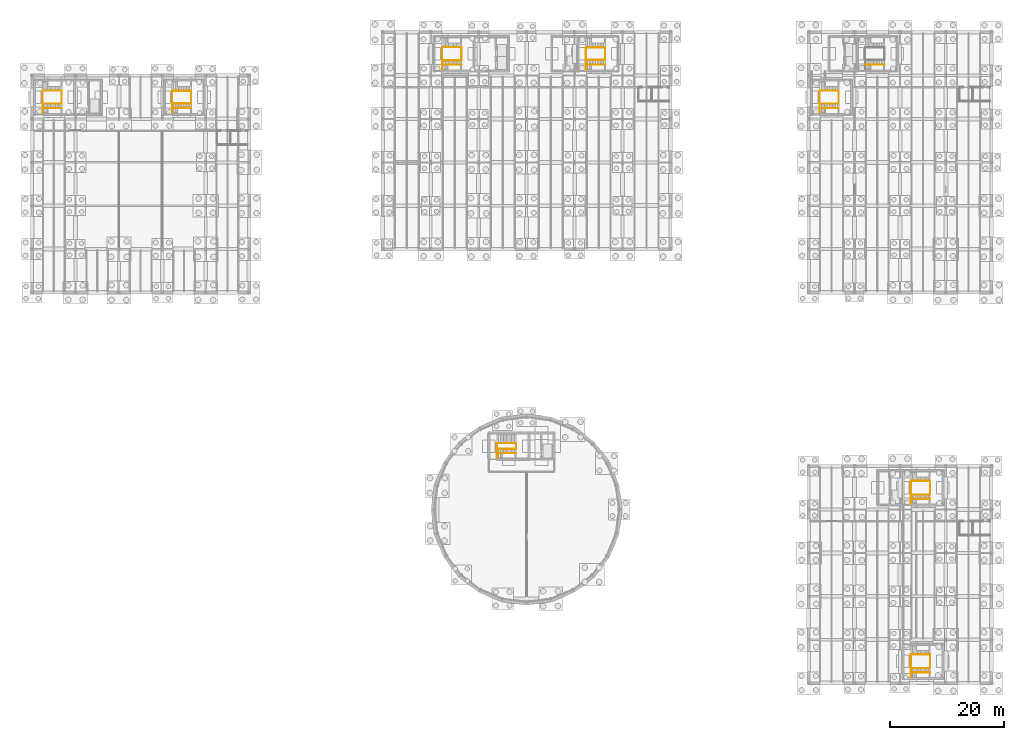
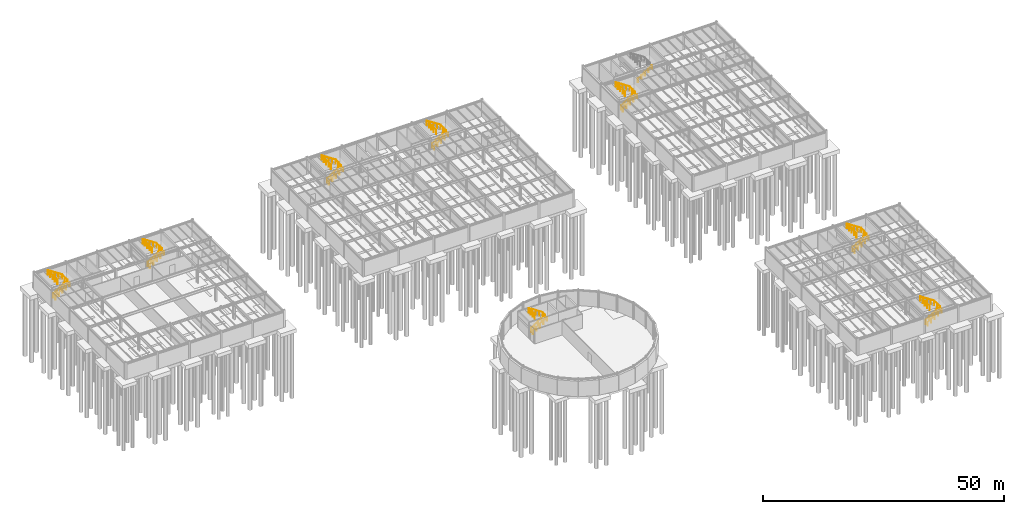
# One storey, part 31 of 33: 17 railings.
"""IFC4 building model written with IfcOpenShell, lengths in metres."""

from ifc_helpers import new_model, si_unit, direction, frame, origin, origin_2d, place, context, subcontext, project, spatial, circle, extrude, material, type_object, element, save


model = new_model("IFC4")

# Units and contexts
model_context = context("Model", 3, precision=1e-05, world=origin(), true_north=direction((0.0, 1.0)))
body_context = subcontext(model_context, "Body", "Model", "MODEL_VIEW")
ifc_project = project(units=[si_unit("LENGTHUNIT", "METRE"), si_unit("AREAUNIT", "SQUARE_METRE"), si_unit("VOLUMEUNIT", "CUBIC_METRE"), si_unit("PLANEANGLEUNIT", "RADIAN"), si_unit("MASSUNIT", "GRAM", prefix="KILO")], contexts=[model_context])

# Site, building, storey
site_placement = place(None, origin())
site = spatial("IfcSite", under=ifc_project, at=site_placement, CompositionType="ELEMENT")
building_placement = place(site_placement, origin())
building = spatial("IfcBuilding", under=site, at=building_placement, Name="Montecoro Central Library", CompositionType="ELEMENT")
storey_placement = place(building_placement, frame((0.0, 0.0, -4.419921875)))
storey = spatial("IfcBuildingStorey", under=building, at=storey_placement, Name="B1", CompositionType="ELEMENT", Elevation=-4.419921875)

# Railings
ifc_material_1 = material(Name="Brushed stainless steel and bronze balustrade", Category="steel")
railing_type_1 = type_object("IfcRailingType", Name="GRD-INT-110", PredefinedType="GUARDRAIL", material=ifc_material_1)
railing_1_placement = place(storey_placement, frame((86.419921875, 46.0, 0.0)))
element("IfcRailing", 1, at=railing_1_placement, inside=storey, type_object=railing_type_1, Name="C1-B1-STR-GRD", PredefinedType="GUARDRAIL", context=body_context, shape_type="SweptSolid", body=[
    extrude(circle(Radius=0.02392578125, at=origin_2d()), frame((0.0, 0.0, 1.09619140625), z_axis=(0.835489692687, 0.0, 0.549506117722), x_axis=(0.0, 1.0, 0.0)), (0.0, 0.0, 1.0), 4.021728515625),
    extrude(circle(Radius=0.02392578125, at=origin_2d()), frame((3.360107421875, 0.0, 3.30615234375), z_axis=(0.0, 1.0, 0.0), x_axis=(-1.0, 0.0, 0.0)), (0.0, 0.0, 1.0), 1.0),
    extrude(circle(Radius=0.02392578125, at=origin_2d()), frame((3.360107421875, 1.0, 3.30615234375), z_axis=(-0.835489692687, 0.0, 0.549506117722), x_axis=(0.0, -1.0, 0.0)), (0.0, 0.0, 1.0), 4.021728515625),
    extrude(circle(Radius=0.02392578125, at=origin_2d()), frame((0.0, 1.0, 5.51611328125), z_axis=(0.0, -1.0, 0.0), x_axis=(1.0, 0.0, 0.0)), (0.0, 0.0, 1.0), 2.550048828125),
    extrude(circle(Radius=0.02099609375, at=origin_2d()), origin(), (0.0, 0.0, 1.0), 1.072021484375),
    extrude(circle(Radius=0.02099609375, at=origin_2d()), frame((0.840087890625, 0.0, 0.552490234375)), (0.0, 0.0, 1.0), 1.072021484375),
    extrude(circle(Radius=0.02099609375, at=origin_2d()), frame((1.68017578125, 0.0, 1.10498046875)), (0.0, 0.0, 1.0), 1.072021484375),
    extrude(circle(Radius=0.02099609375, at=origin_2d()), frame((2.52001953125, 0.0, 1.657470703125)), (0.0, 0.0, 1.0), 1.072021484375),
    extrude(circle(Radius=0.02099609375, at=origin_2d()), frame((3.360107421875, 0.0, 2.2099609375)), (0.0, 0.0, 1.0), 1.072021484375),
    extrude(circle(Radius=0.02099609375, at=origin_2d()), frame((3.360107421875, 1.0, 2.2099609375)), (0.0, 0.0, 1.0), 1.072021484375),
    extrude(circle(Radius=0.02099609375, at=origin_2d()), frame((2.52001953125, 1.0, 2.762451171875)), (0.0, 0.0, 1.0), 1.072021484375),
    extrude(circle(Radius=0.02099609375, at=origin_2d()), frame((1.68017578125, 1.0, 3.31494140625)), (0.0, 0.0, 1.0), 1.072021484375),
    extrude(circle(Radius=0.02099609375, at=origin_2d()), frame((0.840087890625, 1.0, 3.867431640625)), (0.0, 0.0, 1.0), 1.072021484375),
    extrude(circle(Radius=0.02099609375, at=origin_2d()), frame((0.0, 1.0, 4.419921875)), (0.0, 0.0, 1.0), 1.072021484375),
    extrude(circle(Radius=0.02099609375, at=origin_2d()), frame((0.0, 0.14990234375, 4.419921875)), (0.0, 0.0, 1.0), 1.072021484375),
    extrude(circle(Radius=0.02099609375, at=origin_2d()), frame((0.0, -0.699951171875, 4.419921875)), (0.0, 0.0, 1.0), 1.072021484375),
    extrude(circle(Radius=0.02099609375, at=origin_2d()), frame((0.0, -1.550048828125, 4.419921875)), (0.0, 0.0, 1.0), 1.072021484375),
])
railing_2_placement = place(storey_placement, frame((76.820068359375, 114.050048828125, 0.0)))
element("IfcRailing", 2, at=railing_2_placement, inside=storey, type_object=railing_type_1, Name="C2-B1-STR-GRD", PredefinedType="GUARDRAIL", context=body_context, shape_type="SweptSolid", body=[
    extrude(circle(Radius=0.02392578125, at=origin_2d()), frame((0.0, 0.0, 1.09619140625), z_axis=(0.835471360846, 0.0, 0.549533989128), x_axis=(0.0, 1.0, 0.0)), (0.0, 0.0, 1.0), 4.021484375),
    extrude(circle(Radius=0.02392578125, at=origin_2d()), frame((3.35986328125, 0.0, 3.30615234375), z_axis=(0.0, 1.0, 0.0), x_axis=(-1.0, 0.0, 0.0)), (0.0, 0.0, 1.0), 2.300048828125),
    extrude(circle(Radius=0.02392578125, at=origin_2d()), frame((3.35986328125, 2.300048828125, 3.30615234375), z_axis=(-0.835471360846, 0.0, 0.549533989128), x_axis=(0.0, -1.0, 0.0)), (0.0, 0.0, 1.0), 4.021484375),
    extrude(circle(Radius=0.02392578125, at=origin_2d()), frame((0.0, 2.300048828125, 5.51611328125), z_axis=(0.0, -1.0, 0.0), x_axis=(1.0, 0.0, 0.0)), (0.0, 0.0, 1.0), 3.900146484375),
    extrude(circle(Radius=0.02099609375, at=origin_2d()), origin(), (0.0, 0.0, 1.0), 1.072021484375),
    extrude(circle(Radius=0.02099609375, at=origin_2d()), frame((0.83984375, 0.0, 0.552490234375)), (0.0, 0.0, 1.0), 1.072021484375),
    extrude(circle(Radius=0.02099609375, at=origin_2d()), frame((1.679931640625, 0.0, 1.10498046875)), (0.0, 0.0, 1.0), 1.072021484375),
    extrude(circle(Radius=0.02099609375, at=origin_2d()), frame((2.52001953125, 0.0, 1.657470703125)), (0.0, 0.0, 1.0), 1.072021484375),
    extrude(circle(Radius=0.02099609375, at=origin_2d()), frame((3.35986328125, 0.0, 2.2099609375)), (0.0, 0.0, 1.0), 1.072021484375),
    extrude(circle(Radius=0.02099609375, at=origin_2d()), frame((3.35986328125, 1.14990234375, 2.2099609375)), (0.0, 0.0, 1.0), 1.072021484375),
    extrude(circle(Radius=0.02099609375, at=origin_2d()), frame((3.35986328125, 2.300048828125, 2.2099609375)), (0.0, 0.0, 1.0), 1.072021484375),
    extrude(circle(Radius=0.02099609375, at=origin_2d()), frame((2.52001953125, 2.300048828125, 2.762451171875)), (0.0, 0.0, 1.0), 1.072021484375),
    extrude(circle(Radius=0.02099609375, at=origin_2d()), frame((1.679931640625, 2.300048828125, 3.31494140625)), (0.0, 0.0, 1.0), 1.072021484375),
    extrude(circle(Radius=0.02099609375, at=origin_2d()), frame((0.83984375, 2.300048828125, 3.867431640625)), (0.0, 0.0, 1.0), 1.072021484375),
    extrude(circle(Radius=0.02099609375, at=origin_2d()), frame((0.0, 2.300048828125, 4.419921875)), (0.0, 0.0, 1.0), 1.072021484375),
    extrude(circle(Radius=0.02099609375, at=origin_2d()), frame((0.0, 1.324951171875, 4.419921875)), (0.0, 0.0, 1.0), 1.072021484375),
    extrude(circle(Radius=0.02099609375, at=origin_2d()), frame((0.0, 0.35009765625, 4.419921875)), (0.0, 0.0, 1.0), 1.072021484375),
    extrude(circle(Radius=0.02099609375, at=origin_2d()), frame((0.0, -0.625, 4.419921875)), (0.0, 0.0, 1.0), 1.072021484375),
    extrude(circle(Radius=0.02099609375, at=origin_2d()), frame((0.0, -1.60009765625, 4.419921875)), (0.0, 0.0, 1.0), 1.072021484375),
])
railing_3_placement = place(storey_placement, frame((102.02001953125, 114.10009765625, 0.0)))
element("IfcRailing", 3, at=railing_3_placement, inside=storey, type_object=railing_type_1, Name="C3-B1-STR-GRD", PredefinedType="GUARDRAIL", context=body_context, shape_type="SweptSolid", body=[
    extrude(circle(Radius=0.02392578125, at=origin_2d()), frame((0.0, 0.0, 1.09619140625), z_axis=(0.835471360846, 0.0, 0.549533989128), x_axis=(0.0, 1.0, 0.0)), (0.0, 0.0, 1.0), 4.021484375),
    extrude(circle(Radius=0.02392578125, at=origin_2d()), frame((3.35986328125, 0.0, 3.30615234375), z_axis=(0.0, 1.0, 0.0), x_axis=(-1.0, 0.0, 0.0)), (0.0, 0.0, 1.0), 2.199951171875),
    extrude(circle(Radius=0.02392578125, at=origin_2d()), frame((3.35986328125, 2.199951171875, 3.30615234375), z_axis=(-0.835471360846, 0.0, 0.549533989128), x_axis=(0.0, -1.0, 0.0)), (0.0, 0.0, 1.0), 4.021484375),
    extrude(circle(Radius=0.02392578125, at=origin_2d()), frame((0.0, 2.199951171875, 5.51611328125), z_axis=(0.0, -1.0, 0.0), x_axis=(1.0, 0.0, 0.0)), (0.0, 0.0, 1.0), 3.85009765625),
    extrude(circle(Radius=0.02099609375, at=origin_2d()), origin(), (0.0, 0.0, 1.0), 1.072021484375),
    extrude(circle(Radius=0.02099609375, at=origin_2d()), frame((0.83984375, 0.0, 0.552490234375)), (0.0, 0.0, 1.0), 1.072021484375),
    extrude(circle(Radius=0.02099609375, at=origin_2d()), frame((1.679931640625, 0.0, 1.10498046875)), (0.0, 0.0, 1.0), 1.072021484375),
    extrude(circle(Radius=0.02099609375, at=origin_2d()), frame((2.52001953125, 0.0, 1.657470703125)), (0.0, 0.0, 1.0), 1.072021484375),
    extrude(circle(Radius=0.02099609375, at=origin_2d()), frame((3.35986328125, 0.0, 2.2099609375)), (0.0, 0.0, 1.0), 1.072021484375),
    extrude(circle(Radius=0.02099609375, at=origin_2d()), frame((3.35986328125, 1.10009765625, 2.2099609375)), (0.0, 0.0, 1.0), 1.072021484375),
    extrude(circle(Radius=0.02099609375, at=origin_2d()), frame((3.35986328125, 2.199951171875, 2.2099609375)), (0.0, 0.0, 1.0), 1.072021484375),
    extrude(circle(Radius=0.02099609375, at=origin_2d()), frame((2.52001953125, 2.199951171875, 2.762451171875)), (0.0, 0.0, 1.0), 1.072021484375),
    extrude(circle(Radius=0.02099609375, at=origin_2d()), frame((1.679931640625, 2.199951171875, 3.31494140625)), (0.0, 0.0, 1.0), 1.072021484375),
    extrude(circle(Radius=0.02099609375, at=origin_2d()), frame((0.83984375, 2.199951171875, 3.867431640625)), (0.0, 0.0, 1.0), 1.072021484375),
    extrude(circle(Radius=0.02099609375, at=origin_2d()), frame((0.0, 2.199951171875, 4.419921875)), (0.0, 0.0, 1.0), 1.072021484375),
    extrude(circle(Radius=0.02099609375, at=origin_2d()), frame((0.0, 1.2373046875, 4.419921875)), (0.0, 0.0, 1.0), 1.072021484375),
    extrude(circle(Radius=0.02099609375, at=origin_2d()), frame((0.0, 0.27490234375, 4.419921875)), (0.0, 0.0, 1.0), 1.072021484375),
    extrude(circle(Radius=0.02099609375, at=origin_2d()), frame((0.0, -0.6875, 4.419921875)), (0.0, 0.0, 1.0), 1.072021484375),
    extrude(circle(Radius=0.02099609375, at=origin_2d()), frame((0.0, -1.650146484375, 4.419921875)), (0.0, 0.0, 1.0), 1.072021484375),
])
railing_4_placement = place(storey_placement, frame((6.840087890625, 106.449951171875, 0.0)))
element("IfcRailing", 4, at=railing_4_placement, inside=storey, type_object=railing_type_1, Name="C5-B1-STR-GRD", PredefinedType="GUARDRAIL", context=body_context, shape_type="SweptSolid", body=[
    extrude(circle(Radius=0.02392578125, at=origin_2d()), frame((0.0, 0.0, 1.09619140625), z_axis=(0.835471360846, 0.0, 0.549533989128), x_axis=(0.0, 1.0, 0.0)), (0.0, 0.0, 1.0), 4.021484375),
    extrude(circle(Radius=0.02392578125, at=origin_2d()), frame((3.35986328125, 0.0, 3.30615234375), z_axis=(0.0, 1.0, 0.0), x_axis=(-1.0, 0.0, 0.0)), (0.0, 0.0, 1.0), 2.300048828125),
    extrude(circle(Radius=0.02392578125, at=origin_2d()), frame((3.35986328125, 2.300048828125, 3.30615234375), z_axis=(-0.835471360846, 0.0, 0.549533989128), x_axis=(0.0, -1.0, 0.0)), (0.0, 0.0, 1.0), 4.021484375),
    extrude(circle(Radius=0.02392578125, at=origin_2d()), frame((0.0, 2.300048828125, 5.51611328125), z_axis=(0.0, -1.0, 0.0), x_axis=(1.0, 0.0, 0.0)), (0.0, 0.0, 1.0), 3.89990234375),
    extrude(circle(Radius=0.02099609375, at=origin_2d()), origin(), (0.0, 0.0, 1.0), 1.072021484375),
    extrude(circle(Radius=0.02099609375, at=origin_2d()), frame((0.83984375, 0.0, 0.552490234375)), (0.0, 0.0, 1.0), 1.072021484375),
    extrude(circle(Radius=0.02099609375, at=origin_2d()), frame((1.679931640625, 0.0, 1.10498046875)), (0.0, 0.0, 1.0), 1.072021484375),
    extrude(circle(Radius=0.02099609375, at=origin_2d()), frame((2.52001953125, 0.0, 1.657470703125)), (0.0, 0.0, 1.0), 1.072021484375),
    extrude(circle(Radius=0.02099609375, at=origin_2d()), frame((3.35986328125, 0.0, 2.2099609375)), (0.0, 0.0, 1.0), 1.072021484375),
    extrude(circle(Radius=0.02099609375, at=origin_2d()), frame((3.35986328125, 1.14990234375, 2.2099609375)), (0.0, 0.0, 1.0), 1.072021484375),
    extrude(circle(Radius=0.02099609375, at=origin_2d()), frame((3.35986328125, 2.300048828125, 2.2099609375)), (0.0, 0.0, 1.0), 1.072021484375),
    extrude(circle(Radius=0.02099609375, at=origin_2d()), frame((2.52001953125, 2.300048828125, 2.762451171875)), (0.0, 0.0, 1.0), 1.072021484375),
    extrude(circle(Radius=0.02099609375, at=origin_2d()), frame((1.679931640625, 2.300048828125, 3.31494140625)), (0.0, 0.0, 1.0), 1.072021484375),
    extrude(circle(Radius=0.02099609375, at=origin_2d()), frame((0.83984375, 2.300048828125, 3.867431640625)), (0.0, 0.0, 1.0), 1.072021484375),
    extrude(circle(Radius=0.02099609375, at=origin_2d()), frame((0.0, 2.300048828125, 4.419921875)), (0.0, 0.0, 1.0), 1.072021484375),
    extrude(circle(Radius=0.02099609375, at=origin_2d()), frame((0.0, 1.3251953125, 4.419921875)), (0.0, 0.0, 1.0), 1.072021484375),
    extrude(circle(Radius=0.02099609375, at=origin_2d()), frame((0.0, 0.35009765625, 4.419921875)), (0.0, 0.0, 1.0), 1.072021484375),
    extrude(circle(Radius=0.02099609375, at=origin_2d()), frame((0.0, -0.625, 4.419921875)), (0.0, 0.0, 1.0), 1.072021484375),
    extrude(circle(Radius=0.02099609375, at=origin_2d()), frame((0.0, -1.599853515625, 4.419921875)), (0.0, 0.0, 1.0), 1.072021484375),
])
railing_5_placement = place(storey_placement, frame((158.919921875, 38.0, 0.0)))
element("IfcRailing", 5, at=railing_5_placement, inside=storey, type_object=railing_type_1, Name="C7-B1-STR-GRD", PredefinedType="GUARDRAIL", context=body_context, shape_type="SweptSolid", body=[
    extrude(circle(Radius=0.02392578125, at=origin_2d()), frame((0.0, 0.0, 1.09619140625), z_axis=(0.835489692687, 0.0, 0.549506117722), x_axis=(0.0, 1.0, 0.0)), (0.0, 0.0, 1.0), 4.021728515625),
    extrude(circle(Radius=0.02392578125, at=origin_2d()), frame((3.360107421875, 0.0, 3.30615234375), z_axis=(0.0, 1.0, 0.0), x_axis=(-1.0, 0.0, 0.0)), (0.0, 0.0, 1.0), 2.39990234375),
    extrude(circle(Radius=0.02392578125, at=origin_2d()), frame((3.360107421875, 2.39990234375, 3.30615234375), z_axis=(-0.835489692687, 0.0, 0.549506117722), x_axis=(0.0, -1.0, 0.0)), (0.0, 0.0, 1.0), 4.021728515625),
    extrude(circle(Radius=0.02392578125, at=origin_2d()), frame((0.0, 2.39990234375, 5.51611328125), z_axis=(0.0, -1.0, 0.0), x_axis=(1.0, 0.0, 0.0)), (0.0, 0.0, 1.0), 3.949951171875),
    extrude(circle(Radius=0.02099609375, at=origin_2d()), origin(), (0.0, 0.0, 1.0), 1.072021484375),
    extrude(circle(Radius=0.02099609375, at=origin_2d()), frame((0.840087890625, 0.0, 0.552490234375)), (0.0, 0.0, 1.0), 1.072021484375),
    extrude(circle(Radius=0.02099609375, at=origin_2d()), frame((1.68017578125, 0.0, 1.10498046875)), (0.0, 0.0, 1.0), 1.072021484375),
    extrude(circle(Radius=0.02099609375, at=origin_2d()), frame((2.52001953125, 0.0, 1.657470703125)), (0.0, 0.0, 1.0), 1.072021484375),
    extrude(circle(Radius=0.02099609375, at=origin_2d()), frame((3.360107421875, 0.0, 2.2099609375)), (0.0, 0.0, 1.0), 1.072021484375),
    extrude(circle(Radius=0.02099609375, at=origin_2d()), frame((3.360107421875, 1.199951171875, 2.2099609375)), (0.0, 0.0, 1.0), 1.072021484375),
    extrude(circle(Radius=0.02099609375, at=origin_2d()), frame((3.360107421875, 2.39990234375, 2.2099609375)), (0.0, 0.0, 1.0), 1.072021484375),
    extrude(circle(Radius=0.02099609375, at=origin_2d()), frame((2.52001953125, 2.39990234375, 2.762451171875)), (0.0, 0.0, 1.0), 1.072021484375),
    extrude(circle(Radius=0.02099609375, at=origin_2d()), frame((1.68017578125, 2.39990234375, 3.31494140625)), (0.0, 0.0, 1.0), 1.072021484375),
    extrude(circle(Radius=0.02099609375, at=origin_2d()), frame((0.840087890625, 2.39990234375, 3.867431640625)), (0.0, 0.0, 1.0), 1.072021484375),
    extrude(circle(Radius=0.02099609375, at=origin_2d()), frame((0.0, 2.39990234375, 4.419921875)), (0.0, 0.0, 1.0), 1.072021484375),
    extrude(circle(Radius=0.02099609375, at=origin_2d()), frame((0.0, 1.412353515625, 4.419921875)), (0.0, 0.0, 1.0), 1.072021484375),
    extrude(circle(Radius=0.02099609375, at=origin_2d()), frame((0.0, 0.4248046875, 4.419921875)), (0.0, 0.0, 1.0), 1.072021484375),
    extrude(circle(Radius=0.02099609375, at=origin_2d()), frame((0.0, -0.5625, 4.419921875)), (0.0, 0.0, 1.0), 1.072021484375),
    extrude(circle(Radius=0.02099609375, at=origin_2d()), frame((0.0, -1.550048828125, 4.419921875)), (0.0, 0.0, 1.0), 1.072021484375),
])
railing_6_placement = place(storey_placement, frame((142.919921875, 106.449951171875, 0.0)))
element("IfcRailing", 6, at=railing_6_placement, inside=storey, type_object=railing_type_1, Name="C8-B1-STR-GRD", PredefinedType="GUARDRAIL", context=body_context, shape_type="SweptSolid", body=[
    extrude(circle(Radius=0.02392578125, at=origin_2d()), frame((0.0, 0.0, 1.09619140625), z_axis=(0.835489692687, 0.0, 0.549506117722), x_axis=(0.0, 1.0, 0.0)), (0.0, 0.0, 1.0), 4.021728515625),
    extrude(circle(Radius=0.02392578125, at=origin_2d()), frame((3.360107421875, 0.0, 3.30615234375), z_axis=(0.0, 1.0, 0.0), x_axis=(-1.0, 0.0, 0.0)), (0.0, 0.0, 1.0), 2.300048828125),
    extrude(circle(Radius=0.02392578125, at=origin_2d()), frame((3.360107421875, 2.300048828125, 3.30615234375), z_axis=(-0.835489692687, 0.0, 0.549506117722), x_axis=(0.0, -1.0, 0.0)), (0.0, 0.0, 1.0), 4.021728515625),
    extrude(circle(Radius=0.02392578125, at=origin_2d()), frame((0.0, 2.300048828125, 5.51611328125), z_axis=(0.0, -1.0, 0.0), x_axis=(1.0, 0.0, 0.0)), (0.0, 0.0, 1.0), 3.89990234375),
    extrude(circle(Radius=0.02099609375, at=origin_2d()), origin(), (0.0, 0.0, 1.0), 1.072021484375),
    extrude(circle(Radius=0.02099609375, at=origin_2d()), frame((0.840087890625, 0.0, 0.552490234375)), (0.0, 0.0, 1.0), 1.072021484375),
    extrude(circle(Radius=0.02099609375, at=origin_2d()), frame((1.68017578125, 0.0, 1.10498046875)), (0.0, 0.0, 1.0), 1.072021484375),
    extrude(circle(Radius=0.02099609375, at=origin_2d()), frame((2.52001953125, 0.0, 1.657470703125)), (0.0, 0.0, 1.0), 1.072021484375),
    extrude(circle(Radius=0.02099609375, at=origin_2d()), frame((3.360107421875, 0.0, 2.2099609375)), (0.0, 0.0, 1.0), 1.072021484375),
    extrude(circle(Radius=0.02099609375, at=origin_2d()), frame((3.360107421875, 1.14990234375, 2.2099609375)), (0.0, 0.0, 1.0), 1.072021484375),
    extrude(circle(Radius=0.02099609375, at=origin_2d()), frame((3.360107421875, 2.300048828125, 2.2099609375)), (0.0, 0.0, 1.0), 1.072021484375),
    extrude(circle(Radius=0.02099609375, at=origin_2d()), frame((2.52001953125, 2.300048828125, 2.762451171875)), (0.0, 0.0, 1.0), 1.072021484375),
    extrude(circle(Radius=0.02099609375, at=origin_2d()), frame((1.68017578125, 2.300048828125, 3.31494140625)), (0.0, 0.0, 1.0), 1.072021484375),
    extrude(circle(Radius=0.02099609375, at=origin_2d()), frame((0.840087890625, 2.300048828125, 3.867431640625)), (0.0, 0.0, 1.0), 1.072021484375),
    extrude(circle(Radius=0.02099609375, at=origin_2d()), frame((0.0, 2.300048828125, 4.419921875)), (0.0, 0.0, 1.0), 1.072021484375),
    extrude(circle(Radius=0.02099609375, at=origin_2d()), frame((0.0, 1.3251953125, 4.419921875)), (0.0, 0.0, 1.0), 1.072021484375),
    extrude(circle(Radius=0.02099609375, at=origin_2d()), frame((0.0, 0.35009765625, 4.419921875)), (0.0, 0.0, 1.0), 1.072021484375),
    extrude(circle(Radius=0.02099609375, at=origin_2d()), frame((0.0, -0.625, 4.419921875)), (0.0, 0.0, 1.0), 1.072021484375),
    extrude(circle(Radius=0.02099609375, at=origin_2d()), frame((0.0, -1.599853515625, 4.419921875)), (0.0, 0.0, 1.0), 1.072021484375),
])
railing_7_placement = place(storey_placement, frame((29.52001953125, 106.5, 0.0)))
element("IfcRailing", 7, at=railing_7_placement, inside=storey, type_object=railing_type_1, Name="C9-B1-STR-GRD", PredefinedType="GUARDRAIL", context=body_context, shape_type="SweptSolid", body=[
    extrude(circle(Radius=0.02392578125, at=origin_2d()), frame((0.0, 0.0, 1.09619140625), z_axis=(0.835471360846, 0.0, 0.549533989128), x_axis=(0.0, 1.0, 0.0)), (0.0, 0.0, 1.0), 4.021484375),
    extrude(circle(Radius=0.02392578125, at=origin_2d()), frame((3.35986328125, 0.0, 3.30615234375), z_axis=(0.0, 1.0, 0.0), x_axis=(-1.0, 0.0, 0.0)), (0.0, 0.0, 1.0), 2.199951171875),
    extrude(circle(Radius=0.02392578125, at=origin_2d()), frame((3.35986328125, 2.199951171875, 3.30615234375), z_axis=(-0.835471360846, 0.0, 0.549533989128), x_axis=(0.0, -1.0, 0.0)), (0.0, 0.0, 1.0), 4.021484375),
    extrude(circle(Radius=0.02392578125, at=origin_2d()), frame((0.0, 2.199951171875, 5.51611328125), z_axis=(0.0, -1.0, 0.0), x_axis=(1.0, 0.0, 0.0)), (0.0, 0.0, 1.0), 3.849853515625),
    extrude(circle(Radius=0.02099609375, at=origin_2d()), origin(), (0.0, 0.0, 1.0), 1.072021484375),
    extrude(circle(Radius=0.02099609375, at=origin_2d()), frame((0.83984375, 0.0, 0.552490234375)), (0.0, 0.0, 1.0), 1.072021484375),
    extrude(circle(Radius=0.02099609375, at=origin_2d()), frame((1.679931640625, 0.0, 1.10498046875)), (0.0, 0.0, 1.0), 1.072021484375),
    extrude(circle(Radius=0.02099609375, at=origin_2d()), frame((2.52001953125, 0.0, 1.657470703125)), (0.0, 0.0, 1.0), 1.072021484375),
    extrude(circle(Radius=0.02099609375, at=origin_2d()), frame((3.35986328125, 0.0, 2.2099609375)), (0.0, 0.0, 1.0), 1.072021484375),
    extrude(circle(Radius=0.02099609375, at=origin_2d()), frame((3.35986328125, 1.10009765625, 2.2099609375)), (0.0, 0.0, 1.0), 1.072021484375),
    extrude(circle(Radius=0.02099609375, at=origin_2d()), frame((3.35986328125, 2.199951171875, 2.2099609375)), (0.0, 0.0, 1.0), 1.072021484375),
    extrude(circle(Radius=0.02099609375, at=origin_2d()), frame((2.52001953125, 2.199951171875, 2.762451171875)), (0.0, 0.0, 1.0), 1.072021484375),
    extrude(circle(Radius=0.02099609375, at=origin_2d()), frame((1.679931640625, 2.199951171875, 3.31494140625)), (0.0, 0.0, 1.0), 1.072021484375),
    extrude(circle(Radius=0.02099609375, at=origin_2d()), frame((0.83984375, 2.199951171875, 3.867431640625)), (0.0, 0.0, 1.0), 1.072021484375),
    extrude(circle(Radius=0.02099609375, at=origin_2d()), frame((0.0, 2.199951171875, 4.419921875)), (0.0, 0.0, 1.0), 1.072021484375),
    extrude(circle(Radius=0.02099609375, at=origin_2d()), frame((0.0, 1.237548828125, 4.419921875)), (0.0, 0.0, 1.0), 1.072021484375),
    extrude(circle(Radius=0.02099609375, at=origin_2d()), frame((0.0, 0.27490234375, 4.419921875)), (0.0, 0.0, 1.0), 1.072021484375),
    extrude(circle(Radius=0.02099609375, at=origin_2d()), frame((0.0, -0.6875, 4.419921875)), (0.0, 0.0, 1.0), 1.072021484375),
    extrude(circle(Radius=0.02099609375, at=origin_2d()), frame((0.0, -1.64990234375, 4.419921875)), (0.0, 0.0, 1.0), 1.072021484375),
])
railing_8_placement = place(storey_placement, frame((158.919921875, 7.60009765625, 0.0)))
element("IfcRailing", 8, at=railing_8_placement, inside=storey, type_object=railing_type_1, Name="C10-B1-STR-GRD", PredefinedType="GUARDRAIL", context=body_context, shape_type="SweptSolid", body=[
    extrude(circle(Radius=0.02392578125, at=origin_2d()), frame((0.0, 0.0, 1.09619140625), z_axis=(0.835489692687, 0.0, 0.549506117722), x_axis=(0.0, 1.0, 0.0)), (0.0, 0.0, 1.0), 4.021728515625),
    extrude(circle(Radius=0.02392578125, at=origin_2d()), frame((3.360107421875, 0.0, 3.30615234375), z_axis=(0.0, 1.0, 0.0), x_axis=(-1.0, 0.0, 0.0)), (0.0, 0.0, 1.0), 2.39990234375),
    extrude(circle(Radius=0.02392578125, at=origin_2d()), frame((3.360107421875, 2.39990234375, 3.30615234375), z_axis=(-0.835489692687, 0.0, 0.549506117722), x_axis=(0.0, -1.0, 0.0)), (0.0, 0.0, 1.0), 4.021728515625),
    extrude(circle(Radius=0.02392578125, at=origin_2d()), frame((0.0, 2.39990234375, 5.51611328125), z_axis=(0.0, -1.0, 0.0), x_axis=(1.0, 0.0, 0.0)), (0.0, 0.0, 1.0), 3.949951171875),
    extrude(circle(Radius=0.02099609375, at=origin_2d()), origin(), (0.0, 0.0, 1.0), 1.072021484375),
    extrude(circle(Radius=0.02099609375, at=origin_2d()), frame((0.840087890625, 0.0, 0.552490234375)), (0.0, 0.0, 1.0), 1.072021484375),
    extrude(circle(Radius=0.02099609375, at=origin_2d()), frame((1.68017578125, 0.0, 1.10498046875)), (0.0, 0.0, 1.0), 1.072021484375),
    extrude(circle(Radius=0.02099609375, at=origin_2d()), frame((2.52001953125, 0.0, 1.657470703125)), (0.0, 0.0, 1.0), 1.072021484375),
    extrude(circle(Radius=0.02099609375, at=origin_2d()), frame((3.360107421875, 0.0, 2.2099609375)), (0.0, 0.0, 1.0), 1.072021484375),
    extrude(circle(Radius=0.02099609375, at=origin_2d()), frame((3.360107421875, 1.199951171875, 2.2099609375)), (0.0, 0.0, 1.0), 1.072021484375),
    extrude(circle(Radius=0.02099609375, at=origin_2d()), frame((3.360107421875, 2.39990234375, 2.2099609375)), (0.0, 0.0, 1.0), 1.072021484375),
    extrude(circle(Radius=0.02099609375, at=origin_2d()), frame((2.52001953125, 2.39990234375, 2.762451171875)), (0.0, 0.0, 1.0), 1.072021484375),
    extrude(circle(Radius=0.02099609375, at=origin_2d()), frame((1.68017578125, 2.39990234375, 3.31494140625)), (0.0, 0.0, 1.0), 1.072021484375),
    extrude(circle(Radius=0.02099609375, at=origin_2d()), frame((0.840087890625, 2.39990234375, 3.867431640625)), (0.0, 0.0, 1.0), 1.072021484375),
    extrude(circle(Radius=0.02099609375, at=origin_2d()), frame((0.0, 2.39990234375, 4.419921875)), (0.0, 0.0, 1.0), 1.072021484375),
    extrude(circle(Radius=0.02099609375, at=origin_2d()), frame((0.0, 1.412353515625, 4.419921875)), (0.0, 0.0, 1.0), 1.072021484375),
    extrude(circle(Radius=0.02099609375, at=origin_2d()), frame((0.0, 0.4248046875, 4.419921875)), (0.0, 0.0, 1.0), 1.072021484375),
    extrude(circle(Radius=0.02099609375, at=origin_2d()), frame((0.0, -0.5625, 4.419921875)), (0.0, 0.0, 1.0), 1.072021484375),
    extrude(circle(Radius=0.02099609375, at=origin_2d()), frame((0.0, -1.550048828125, 4.419921875)), (0.0, 0.0, 1.0), 1.072021484375),
])
ifc_material_2 = material(Name="Brushed architectural bronze handrail")
railing_type_2 = type_object("IfcRailingType", Name="HRL-STR-095", PredefinedType="HANDRAIL", material=ifc_material_2)
railing_9_placement = place(storey_placement, frame((86.419921875, 45.25, 0.0)))
element("IfcRailing", 9, at=railing_9_placement, inside=storey, type_object=railing_type_2, Name="C1-B1-STR-HR1", PredefinedType="HANDRAIL", context=body_context, shape_type="SweptSolid", body=[
    extrude(circle(Radius=0.02392578125, at=origin_2d()), frame((0.0, 0.0, 0.92578125), z_axis=(0.835489692687, 0.0, 0.549506117722), x_axis=(0.0, 1.0, 0.0)), (0.0, 0.0, 1.0), 4.021728515625),
    extrude(circle(Radius=0.02099609375, at=origin_2d()), origin(), (0.0, 0.0, 1.0), 0.90185546875),
    extrude(circle(Radius=0.02099609375, at=origin_2d()), frame((0.840087890625, 0.0, 0.552490234375)), (0.0, 0.0, 1.0), 0.90185546875),
    extrude(circle(Radius=0.02099609375, at=origin_2d()), frame((1.68017578125, 0.0, 1.10498046875)), (0.0, 0.0, 1.0), 0.90185546875),
    extrude(circle(Radius=0.02099609375, at=origin_2d()), frame((2.52001953125, 0.0, 1.657470703125)), (0.0, 0.0, 1.0), 0.90185546875),
    extrude(circle(Radius=0.02099609375, at=origin_2d()), frame((3.360107421875, 0.0, 2.2099609375)), (0.0, 0.0, 1.0), 0.90185546875),
])
for number, where, name in (
    (10, (76.820068359375, 113.27490234375, 0.0), "C2-B1-STR-HR1"),
    (11, (102.02001953125, 113.300048828125, 0.0), "C3-B1-STR-HR1"),
    (12, (6.840087890625, 105.675048828125, 0.0), "C5-B1-STR-HR1"),
):
    element("IfcRailing", number, at=place(storey_placement, frame(where)), inside=storey, type_object=railing_type_2, Name=name, PredefinedType="HANDRAIL", context=body_context, shape_type="SweptSolid", body=[
        extrude(circle(Radius=0.02392578125, at=origin_2d()), frame((0.0, 0.0, 0.92578125), z_axis=(0.835471360846, 0.0, 0.549533989128), x_axis=(0.0, 1.0, 0.0)), (0.0, 0.0, 1.0), 4.021484375),
        extrude(circle(Radius=0.02099609375, at=origin_2d()), origin(), (0.0, 0.0, 1.0), 0.90185546875),
        extrude(circle(Radius=0.02099609375, at=origin_2d()), frame((0.83984375, 0.0, 0.552490234375)), (0.0, 0.0, 1.0), 0.90185546875),
        extrude(circle(Radius=0.02099609375, at=origin_2d()), frame((1.679931640625, 0.0, 1.10498046875)), (0.0, 0.0, 1.0), 0.90185546875),
        extrude(circle(Radius=0.02099609375, at=origin_2d()), frame((2.52001953125, 0.0, 1.657470703125)), (0.0, 0.0, 1.0), 0.90185546875),
        extrude(circle(Radius=0.02099609375, at=origin_2d()), frame((3.35986328125, 0.0, 2.2099609375)), (0.0, 0.0, 1.0), 0.90185546875),
    ])
for number, where, name in (
    (13, (150.919921875, 113.300048828125, 0.0), "C6-B1-STR-HR1"),
    (14, (158.919921875, 37.25, 0.0), "C7-B1-STR-HR1"),
    (15, (142.919921875, 105.675048828125, 0.0), "C8-B1-STR-HR1"),
):
    element("IfcRailing", number, at=place(storey_placement, frame(where)), inside=storey, type_object=railing_type_2, Name=name, PredefinedType="HANDRAIL", context=body_context, shape_type="SweptSolid", body=[
        extrude(circle(Radius=0.02392578125, at=origin_2d()), frame((0.0, 0.0, 0.92578125), z_axis=(0.835489692687, 0.0, 0.549506117722), x_axis=(0.0, 1.0, 0.0)), (0.0, 0.0, 1.0), 4.021728515625),
        extrude(circle(Radius=0.02099609375, at=origin_2d()), origin(), (0.0, 0.0, 1.0), 0.90185546875),
        extrude(circle(Radius=0.02099609375, at=origin_2d()), frame((0.840087890625, 0.0, 0.552490234375)), (0.0, 0.0, 1.0), 0.90185546875),
        extrude(circle(Radius=0.02099609375, at=origin_2d()), frame((1.68017578125, 0.0, 1.10498046875)), (0.0, 0.0, 1.0), 0.90185546875),
        extrude(circle(Radius=0.02099609375, at=origin_2d()), frame((2.52001953125, 0.0, 1.657470703125)), (0.0, 0.0, 1.0), 0.90185546875),
        extrude(circle(Radius=0.02099609375, at=origin_2d()), frame((3.360107421875, 0.0, 2.2099609375)), (0.0, 0.0, 1.0), 0.90185546875),
    ])
railing_10_placement = place(storey_placement, frame((29.52001953125, 105.699951171875, 0.0)))
element("IfcRailing", 16, at=railing_10_placement, inside=storey, type_object=railing_type_2, Name="C9-B1-STR-HR1", PredefinedType="HANDRAIL", context=body_context, shape_type="SweptSolid", body=[
    extrude(circle(Radius=0.02392578125, at=origin_2d()), frame((0.0, 0.0, 0.92578125), z_axis=(0.835471360846, 0.0, 0.549533989128), x_axis=(0.0, 1.0, 0.0)), (0.0, 0.0, 1.0), 4.021484375),
    extrude(circle(Radius=0.02099609375, at=origin_2d()), origin(), (0.0, 0.0, 1.0), 0.90185546875),
    extrude(circle(Radius=0.02099609375, at=origin_2d()), frame((0.83984375, 0.0, 0.552490234375)), (0.0, 0.0, 1.0), 0.90185546875),
    extrude(circle(Radius=0.02099609375, at=origin_2d()), frame((1.679931640625, 0.0, 1.10498046875)), (0.0, 0.0, 1.0), 0.90185546875),
    extrude(circle(Radius=0.02099609375, at=origin_2d()), frame((2.52001953125, 0.0, 1.657470703125)), (0.0, 0.0, 1.0), 0.90185546875),
    extrude(circle(Radius=0.02099609375, at=origin_2d()), frame((3.35986328125, 0.0, 2.2099609375)), (0.0, 0.0, 1.0), 0.90185546875),
])
railing_11_placement = place(storey_placement, frame((158.919921875, 6.85009765625, 0.0)))
element("IfcRailing", 17, at=railing_11_placement, inside=storey, type_object=railing_type_2, Name="C10-B1-STR-HR1", PredefinedType="HANDRAIL", context=body_context, shape_type="SweptSolid", body=[
    extrude(circle(Radius=0.02392578125, at=origin_2d()), frame((0.0, 0.0, 0.92578125), z_axis=(0.835489692687, 0.0, 0.549506117722), x_axis=(0.0, 1.0, 0.0)), (0.0, 0.0, 1.0), 4.021728515625),
    extrude(circle(Radius=0.02099609375, at=origin_2d()), origin(), (0.0, 0.0, 1.0), 0.90185546875),
    extrude(circle(Radius=0.02099609375, at=origin_2d()), frame((0.840087890625, 0.0, 0.552490234375)), (0.0, 0.0, 1.0), 0.90185546875),
    extrude(circle(Radius=0.02099609375, at=origin_2d()), frame((1.68017578125, 0.0, 1.10498046875)), (0.0, 0.0, 1.0), 0.90185546875),
    extrude(circle(Radius=0.02099609375, at=origin_2d()), frame((2.52001953125, 0.0, 1.657470703125)), (0.0, 0.0, 1.0), 0.90185546875),
    extrude(circle(Radius=0.02099609375, at=origin_2d()), frame((3.360107421875, 0.0, 2.2099609375)), (0.0, 0.0, 1.0), 0.90185546875),
])

save(model, "model.ifc")
